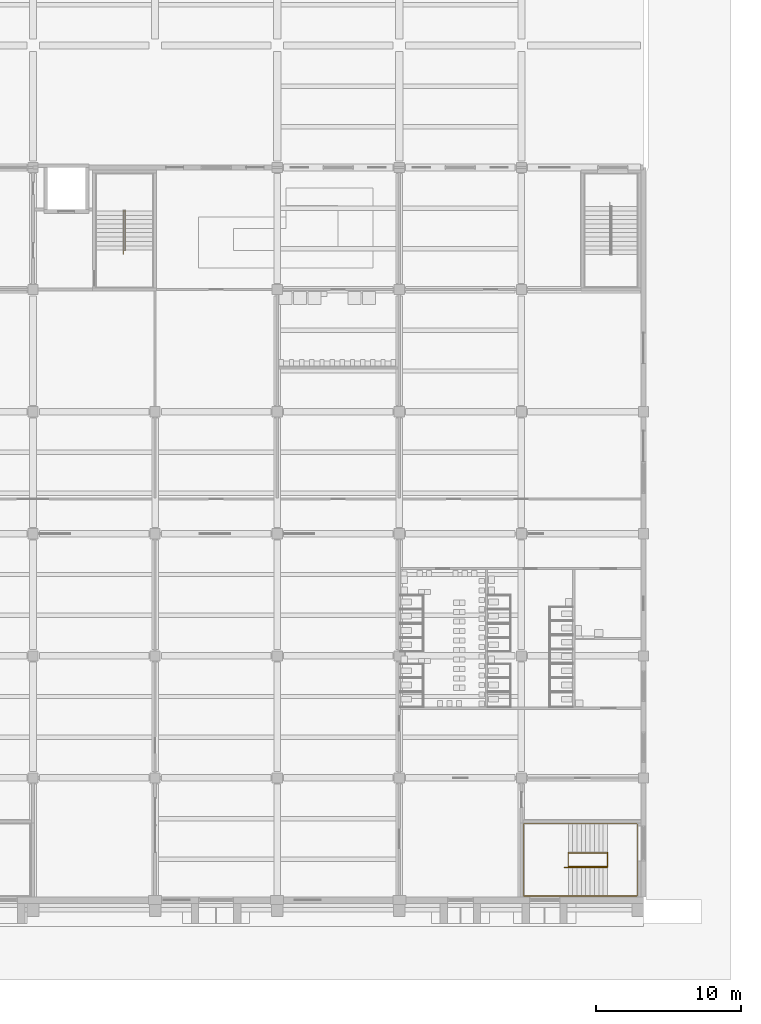
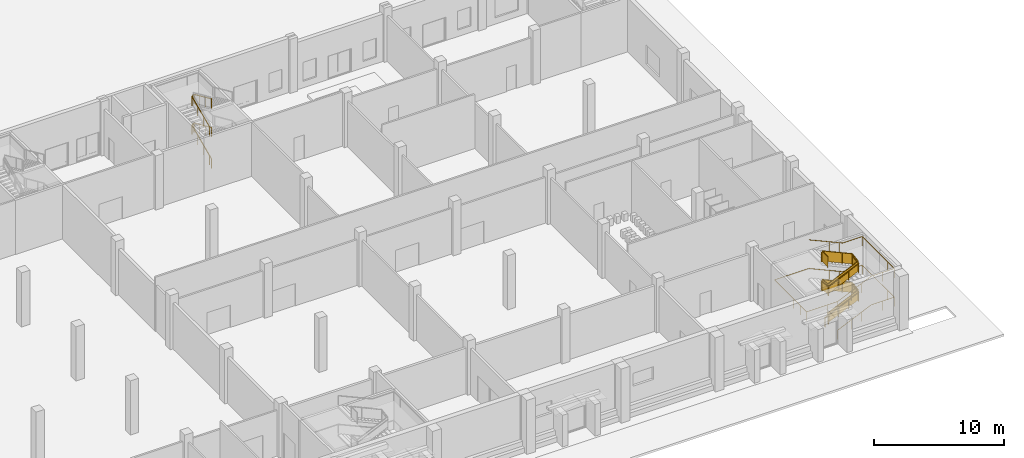
# One storey, part 66 of 74: 4 railings.
"""IFC4 building model written with IfcOpenShell, lengths in metres."""

from ifc_helpers import new_model, si_unit, direction, frame, origin, origin_2d, place, context, subcontext, project, spatial, polyline, circle, outline, extrude, material, type_object, element, save


model = new_model("IFC4")

# Units and contexts
model_context = context("Model", 3, precision=1e-05, world=origin(), true_north=direction((0.0, 1.0)))
body_context = subcontext(model_context, "Body", "Model", "MODEL_VIEW")
ifc_project = project(units=[si_unit("LENGTHUNIT", "METRE"), si_unit("AREAUNIT", "SQUARE_METRE"), si_unit("VOLUMEUNIT", "CUBIC_METRE"), si_unit("PLANEANGLEUNIT", "RADIAN"), si_unit("MASSUNIT", "GRAM", prefix="KILO")], contexts=[model_context])

# Site, building, storey
site_placement = place(None, origin())
site = spatial("IfcSite", under=ifc_project, at=site_placement, CompositionType="ELEMENT")
building_placement = place(site_placement, origin())
building = spatial("IfcBuilding", under=site, at=building_placement, Name="Rulbaag Community and Learning Centre", CompositionType="ELEMENT")
storey_placement = place(building_placement, origin())
storey = spatial("IfcBuildingStorey", under=building, at=storey_placement, Name="L00", CompositionType="ELEMENT", Elevation=0.0)

# Railings
ifc_material_1 = material(Name="Galvanised mild steel", Category="steel")
railing_type_1 = type_object("IfcRailingType", Name="GR-1100 GUARD 1100", PredefinedType="GUARDRAIL", material=ifc_material_1)
railing_1_placement = place(storey_placement, frame((162.824951171875, 2.304931640625, 0.135009765625)))
element("IfcRailing", 1, at=railing_1_placement, inside=storey, type_object=railing_type_1, Name="Guard SH10 L00 G", PredefinedType="GUARDRAIL", context=body_context, shape_type="SweptSolid", body=[
    extrude(circle(Radius=0.02490234375, at=origin_2d()), frame((0.0, 0.0, 1.0751953125), z_axis=(0.911907618724, 0.0, 0.410395534713), x_axis=(0.0, 1.0, 0.0)), (0.0, 0.0, 1.0), 2.960693359375),
    extrude(circle(Radius=0.02490234375, at=origin_2d()), frame((2.699951171875, 0.0, 2.2900390625), z_axis=(0.0, 0.989289738746, 0.145965108198), x_axis=(-1.0, 0.0, 0.0)), (0.0, 0.0, 1.0), 0.925048828125),
    extrude(circle(Radius=0.02490234375, at=origin_2d()), frame((2.699951171875, 0.9150390625, 2.42529296875), z_axis=(-0.91193847666, 0.0, 0.410326960834), x_axis=(0.0, -1.0, 0.0)), (0.0, 0.0, 1.0), 2.960693359375),
    extrude(circle(Radius=0.02490234375, at=origin_2d()), frame((0.0, 0.9150390625, 3.64013671875), z_axis=(0.0, -0.989289738746, 0.145965108198), x_axis=(1.0, 0.0, 0.0)), (0.0, 0.0, 1.0), 0.925048828125),
    extrude(circle(Radius=0.02490234375, at=origin_2d()), frame((0.0, 0.0, 3.77490234375), z_axis=(0.911907618724, 0.0, 0.410395534713), x_axis=(0.0, 1.0, 0.0)), (0.0, 0.0, 1.0), 2.960693359375),
    extrude(circle(Radius=0.02490234375, at=origin_2d()), frame((2.699951171875, 0.0, 4.990234375), z_axis=(0.0, 0.989289738746, 0.145965108198), x_axis=(-1.0, 0.0, 0.0)), (0.0, 0.0, 1.0), 0.925048828125),
    extrude(circle(Radius=0.02490234375, at=origin_2d()), frame((2.699951171875, 0.9150390625, 5.125), z_axis=(-0.91193847666, 0.0, 0.410326960834), x_axis=(0.0, -1.0, 0.0)), (0.0, 0.0, 1.0), 2.960693359375),
    extrude(circle(Radius=0.02490234375, at=origin_2d()), frame((0.0, 0.9150390625, 6.33984375), z_axis=(0.0, -1.0, 0.0), x_axis=(1.0, 0.0, 0.0)), (0.0, 0.0, 1.0), 0.9150390625),
    extrude(circle(Radius=0.02001953125, at=origin_2d()), origin(), (0.0, 0.0, 1.0), 1.050048828125),
    extrude(circle(Radius=0.02001953125, at=origin_2d()), frame((0.89990234375, 0.0, 0.405029296875)), (0.0, 0.0, 1.0), 1.050048828125),
    extrude(circle(Radius=0.02001953125, at=origin_2d()), frame((1.800048828125, 0.0, 0.81005859375)), (0.0, 0.0, 1.0), 1.050048828125),
    extrude(circle(Radius=0.02001953125, at=origin_2d()), frame((2.699951171875, 0.0, 1.215087890625)), (0.0, 0.0, 1.0), 1.050048828125),
    extrude(circle(Radius=0.02001953125, at=origin_2d()), frame((2.699951171875, 0.9150390625, 1.35009765625)), (0.0, 0.0, 1.0), 1.050048828125),
    extrude(circle(Radius=0.02001953125, at=origin_2d()), frame((1.800048828125, 0.9150390625, 1.755126953125)), (0.0, 0.0, 1.0), 1.050048828125),
    extrude(circle(Radius=0.02001953125, at=origin_2d()), frame((0.89990234375, 0.9150390625, 2.159912109375)), (0.0, 0.0, 1.0), 1.050048828125),
    extrude(circle(Radius=0.02001953125, at=origin_2d()), frame((0.0, 0.9150390625, 2.56494140625)), (0.0, 0.0, 1.0), 1.050048828125),
    extrude(circle(Radius=0.02001953125, at=origin_2d()), frame((0.0, 0.0, 2.699951171875)), (0.0, 0.0, 1.0), 1.050048828125),
    extrude(circle(Radius=0.02001953125, at=origin_2d()), frame((0.89990234375, 0.0, 3.10498046875)), (0.0, 0.0, 1.0), 1.050048828125),
    extrude(circle(Radius=0.02001953125, at=origin_2d()), frame((1.800048828125, 0.0, 3.510009765625)), (0.0, 0.0, 1.0), 1.050048828125),
    extrude(circle(Radius=0.02001953125, at=origin_2d()), frame((2.699951171875, 0.0, 3.9150390625)), (0.0, 0.0, 1.0), 1.050048828125),
    extrude(circle(Radius=0.02001953125, at=origin_2d()), frame((2.699951171875, 0.9150390625, 4.050048828125)), (0.0, 0.0, 1.0), 1.050048828125),
    extrude(circle(Radius=0.02001953125, at=origin_2d()), frame((1.800048828125, 0.9150390625, 4.455078125)), (0.0, 0.0, 1.0), 1.050048828125),
    extrude(circle(Radius=0.02001953125, at=origin_2d()), frame((0.89990234375, 0.9150390625, 4.85986328125)), (0.0, 0.0, 1.0), 1.050048828125),
    extrude(circle(Radius=0.02001953125, at=origin_2d()), frame((0.0, 0.9150390625, 5.264892578125)), (0.0, 0.0, 1.0), 1.050048828125),
    extrude(circle(Radius=0.02001953125, at=origin_2d()), frame((0.0, 0.0, 5.264892578125)), (0.0, 0.0, 1.0), 1.050048828125),
    extrude(outline(polyline([(0.0, 0.0), (2.699951171875, 1.215087890625), (2.699951171875, 2.1650390625), (0.0, 0.949951171875), (0.0, 0.0)])), frame((0.0, 0.0048828125, 0.10009765625), z_axis=(0.0, -1.0, 0.0), x_axis=(1.0, 0.0, 0.0)), (0.0, 0.0, 1.0), 0.010009765625),
    extrude(outline(polyline([(0.0, 0.0), (0.9150390625, 0.135009765625), (0.9150390625, 1.0849609375), (0.0, 0.949951171875), (0.0, 0.0)])), frame((2.69482421875, 0.0, 1.315185546875), z_axis=(1.0, 0.0, 0.0), x_axis=(0.0, 1.0, 0.0)), (0.0, 0.0, 1.0), 0.010009765625),
    extrude(outline(polyline([(0.0, 0.0), (2.699951171875, 1.21484375), (2.699951171875, 2.164794921875), (0.0, 0.949951171875), (0.0, 0.0)])), frame((2.699951171875, 0.91015625, 1.4501953125), z_axis=(0.0, 1.0, 0.0), x_axis=(-1.0, 0.0, 0.0)), (0.0, 0.0, 1.0), 0.010009765625),
    extrude(outline(polyline([(0.0, 0.0), (0.9150390625, 0.135009765625), (0.9150390625, 1.0849609375), (0.0, 0.949951171875), (0.0, 0.0)])), frame((0.0048828125, 0.9150390625, 2.6650390625), z_axis=(-1.0, 0.0, 0.0), x_axis=(0.0, -1.0, 0.0)), (0.0, 0.0, 1.0), 0.010009765625),
    extrude(outline(polyline([(0.0, 0.0), (2.699951171875, 1.215087890625), (2.699951171875, 2.1650390625), (0.0, 0.949951171875), (0.0, 0.0)])), frame((0.0, 0.0048828125, 2.800048828125), z_axis=(0.0, -1.0, 0.0), x_axis=(1.0, 0.0, 0.0)), (0.0, 0.0, 1.0), 0.010009765625),
    extrude(outline(polyline([(0.0, 0.0), (0.9150390625, 0.135009765625), (0.9150390625, 1.0849609375), (0.0, 0.949951171875), (0.0, 0.0)])), frame((2.69482421875, 0.0, 4.01513671875), z_axis=(1.0, 0.0, 0.0), x_axis=(0.0, 1.0, 0.0)), (0.0, 0.0, 1.0), 0.010009765625),
    extrude(outline(polyline([(0.0, 0.0), (2.699951171875, 1.21484375), (2.699951171875, 2.164794921875), (0.0, 0.949951171875), (0.0, 0.0)])), frame((2.699951171875, 0.91015625, 4.150146484375), z_axis=(0.0, 1.0, 0.0), x_axis=(-1.0, 0.0, 0.0)), (0.0, 0.0, 1.0), 0.010009765625),
    extrude(outline(polyline([(0.0, 0.0), (0.9150390625, 0.0), (0.9150390625, 0.949951171875), (0.0, 0.949951171875), (0.0, 0.0)])), frame((0.0048828125, 0.9150390625, 5.364990234375), z_axis=(-1.0, 0.0, 0.0), x_axis=(0.0, -1.0, 0.0)), (0.0, 0.0, 1.0), 0.010009765625),
])
ifc_material_2 = material(Name="Stainless steel grade 316", Category="steel")
railing_type_2 = type_object("IfcRailingType", Name="HR-900 HANDRAIL 900", PredefinedType="HANDRAIL", material=ifc_material_2)
railing_2_placement = place(storey_placement, frame((132.2099609375, 44.41259765625, 0.0)))
element("IfcRailing", 2, at=railing_2_placement, inside=storey, type_object=railing_type_2, Name="Handrail SH3 L00 I", PredefinedType="HANDRAIL", context=body_context, shape_type="SweptSolid", body=[
    extrude(circle(Radius=0.024169921875, at=origin_2d()), frame((0.0, 0.0, 0.875732421875), z_axis=(0.0, 0.911810325798, 0.41061165323), x_axis=(-1.0, 0.0, 0.0)), (0.0, 0.0, 1.0), 0.328857421875),
    extrude(circle(Radius=0.024169921875, at=origin_2d()), frame((0.0, 0.2998046875, 1.0107421875), z_axis=(0.0, 0.911921505175, 0.410364677329), x_axis=(-1.0, 0.0, 0.0)), (0.0, 0.0, 1.0), 2.9609375),
    extrude(circle(Radius=0.024169921875, at=origin_2d()), frame((0.0, 3.0, 2.225830078125), z_axis=(0.79986974456, 0.0, 0.600173634657), x_axis=(0.0, 1.0, 0.0)), (0.0, 0.0, 1.0), 0.224853515625),
    extrude(circle(Radius=0.024169921875, at=origin_2d()), frame((0.179931640625, 3.0, 2.36083984375), z_axis=(0.0, -0.91195235894, 0.410296106518), x_axis=(1.0, 0.0, 0.0)), (0.0, 0.0, 1.0), 2.9609375),
    extrude(circle(Radius=0.024169921875, at=origin_2d()), frame((0.179931640625, 0.2998046875, 3.57568359375), z_axis=(-0.79986974456, 0.0, 0.600173634657), x_axis=(0.0, -1.0, 0.0)), (0.0, 0.0, 1.0), 0.224853515625),
    extrude(circle(Radius=0.024169921875, at=origin_2d()), frame((0.0, 0.2998046875, 3.710693359375), z_axis=(0.0, 0.911921505175, 0.410364677329), x_axis=(-1.0, 0.0, 0.0)), (0.0, 0.0, 1.0), 2.9609375),
    extrude(circle(Radius=0.024169921875, at=origin_2d()), frame((0.0, 3.0, 4.92578125), z_axis=(0.79986974456, 0.0, 0.600173634657), x_axis=(0.0, 1.0, 0.0)), (0.0, 0.0, 1.0), 0.224853515625),
    extrude(circle(Radius=0.024169921875, at=origin_2d()), frame((0.179931640625, 3.0, 5.060791015625), z_axis=(0.0, -0.91195235894, 0.410296106518), x_axis=(1.0, 0.0, 0.0)), (0.0, 0.0, 1.0), 2.9609375),
    extrude(circle(Radius=0.008056640625, at=origin_2d()), origin(), (0.0, 0.0, 1.0), 0.8515625),
    extrude(circle(Radius=0.008056640625, at=origin_2d()), frame((0.0, 0.2998046875, 0.135009765625)), (0.0, 0.0, 1.0), 0.8515625),
    extrude(circle(Radius=0.008056640625, at=origin_2d()), frame((0.0, 1.199951171875, 0.5400390625)), (0.0, 0.0, 1.0), 0.8515625),
    extrude(circle(Radius=0.008056640625, at=origin_2d()), frame((0.0, 2.099853515625, 0.945068359375)), (0.0, 0.0, 1.0), 0.8515625),
    extrude(circle(Radius=0.008056640625, at=origin_2d()), frame((0.0, 3.0, 1.35009765625)), (0.0, 0.0, 1.0), 0.8515625),
    extrude(circle(Radius=0.008056640625, at=origin_2d()), frame((0.179931640625, 3.0, 1.485107421875)), (0.0, 0.0, 1.0), 0.8515625),
    extrude(circle(Radius=0.008056640625, at=origin_2d()), frame((0.179931640625, 2.099853515625, 1.89013671875)), (0.0, 0.0, 1.0), 0.8515625),
    extrude(circle(Radius=0.008056640625, at=origin_2d()), frame((0.179931640625, 1.199951171875, 2.294921875)), (0.0, 0.0, 1.0), 0.8515625),
    extrude(circle(Radius=0.008056640625, at=origin_2d()), frame((0.179931640625, 0.2998046875, 2.699951171875)), (0.0, 0.0, 1.0), 0.8515625),
    extrude(circle(Radius=0.008056640625, at=origin_2d()), frame((0.0, 0.2998046875, 2.8349609375)), (0.0, 0.0, 1.0), 0.8515625),
    extrude(circle(Radius=0.008056640625, at=origin_2d()), frame((0.0, 1.199951171875, 3.239990234375)), (0.0, 0.0, 1.0), 0.8515625),
    extrude(circle(Radius=0.008056640625, at=origin_2d()), frame((0.0, 2.099853515625, 3.64501953125)), (0.0, 0.0, 1.0), 0.8515625),
    extrude(circle(Radius=0.008056640625, at=origin_2d()), frame((0.0, 3.0, 4.050048828125)), (0.0, 0.0, 1.0), 0.8515625),
    extrude(circle(Radius=0.008056640625, at=origin_2d()), frame((0.179931640625, 3.0, 4.18505859375)), (0.0, 0.0, 1.0), 0.8515625),
    extrude(circle(Radius=0.008056640625, at=origin_2d()), frame((0.179931640625, 2.099853515625, 4.590087890625)), (0.0, 0.0, 1.0), 0.8515625),
    extrude(circle(Radius=0.008056640625, at=origin_2d()), frame((0.179931640625, 1.199951171875, 4.994873046875)), (0.0, 0.0, 1.0), 0.8515625),
    extrude(circle(Radius=0.008056640625, at=origin_2d()), frame((0.179931640625, 0.2998046875, 5.39990234375)), (0.0, 0.0, 1.0), 0.8515625),
])
railing_3_placement = place(storey_placement, frame((162.52490234375, 0.284912109375, 0.0)))
element("IfcRailing", 3, at=railing_3_placement, inside=storey, type_object=railing_type_2, Name="Handrail SH10 L00 O", PredefinedType="HANDRAIL", context=body_context, shape_type="SweptSolid", body=[
    extrude(circle(Radius=0.024169921875, at=origin_2d()), frame((0.0, 0.0, 0.875732421875), z_axis=(0.911935388494, 0.0, 0.410333824115), x_axis=(0.0, 1.0, 0.0)), (0.0, 0.0, 1.0), 0.3291015625),
    extrude(circle(Radius=0.024169921875, at=origin_2d()), frame((0.300048828125, 0.0, 1.0107421875), z_axis=(0.911907618724, 0.0, 0.410395534713), x_axis=(0.0, 1.0, 0.0)), (0.0, 0.0, 1.0), 2.960693359375),
    extrude(circle(Radius=0.024169921875, at=origin_2d()), frame((3.0, 0.0, 2.225830078125), z_axis=(1.0, 0.0, 0.0), x_axis=(0.0, 1.0, 0.0)), (0.0, 0.0, 1.0), 2.0400390625),
    extrude(circle(Radius=0.024169921875, at=origin_2d()), frame((5.0400390625, 0.0, 2.225830078125), z_axis=(0.0, 1.0, 0.0), x_axis=(-1.0, 0.0, 0.0)), (0.0, 0.0, 1.0), 4.955078125),
    extrude(circle(Radius=0.024169921875, at=origin_2d()), frame((5.0400390625, 4.955078125, 2.225830078125), z_axis=(-1.0, 0.0, 0.0), x_axis=(0.0, -1.0, 0.0)), (0.0, 0.0, 1.0), 1.739990234375),
    extrude(circle(Radius=0.024169921875, at=origin_2d()), frame((3.300048828125, 4.955078125, 2.225830078125), z_axis=(-0.911935388494, 0.0, 0.410333824115), x_axis=(0.0, -1.0, 0.0)), (0.0, 0.0, 1.0), 0.3291015625),
    extrude(circle(Radius=0.024169921875, at=origin_2d()), frame((3.0, 4.955078125, 2.36083984375), z_axis=(-0.91193847666, 0.0, 0.410326960834), x_axis=(0.0, -1.0, 0.0)), (0.0, 0.0, 1.0), 2.960693359375),
    extrude(circle(Radius=0.024169921875, at=origin_2d()), frame((0.300048828125, 4.955078125, 3.57568359375), z_axis=(-1.0, 0.0, 0.0), x_axis=(0.0, -1.0, 0.0)), (0.0, 0.0, 1.0), 3.06494140625),
    extrude(circle(Radius=0.024169921875, at=origin_2d()), frame((-2.764892578125, 4.955078125, 3.57568359375), z_axis=(0.0, -1.0, 0.0), x_axis=(1.0, 0.0, 0.0)), (0.0, 0.0, 1.0), 4.955078125),
    extrude(circle(Radius=0.024169921875, at=origin_2d()), frame((-2.764892578125, 0.0, 3.57568359375), z_axis=(1.0, 0.0, 0.0), x_axis=(0.0, 1.0, 0.0)), (0.0, 0.0, 1.0), 2.764892578125),
    extrude(circle(Radius=0.024169921875, at=origin_2d()), frame((0.0, 0.0, 3.57568359375), z_axis=(0.911935388494, 0.0, 0.410333824115), x_axis=(0.0, 1.0, 0.0)), (0.0, 0.0, 1.0), 0.3291015625),
    extrude(circle(Radius=0.024169921875, at=origin_2d()), frame((0.300048828125, 0.0, 3.710693359375), z_axis=(0.911907618724, 0.0, 0.410395534713), x_axis=(0.0, 1.0, 0.0)), (0.0, 0.0, 1.0), 2.960693359375),
    extrude(circle(Radius=0.024169921875, at=origin_2d()), frame((3.0, 0.0, 4.92578125), z_axis=(1.0, 0.0, 0.0), x_axis=(0.0, 1.0, 0.0)), (0.0, 0.0, 1.0), 2.0400390625),
    extrude(circle(Radius=0.024169921875, at=origin_2d()), frame((5.0400390625, 0.0, 4.92578125), z_axis=(0.0, 1.0, 0.0), x_axis=(-1.0, 0.0, 0.0)), (0.0, 0.0, 1.0), 4.955078125),
    extrude(circle(Radius=0.024169921875, at=origin_2d()), frame((5.0400390625, 4.955078125, 4.92578125), z_axis=(-1.0, 0.0, 0.0), x_axis=(0.0, -1.0, 0.0)), (0.0, 0.0, 1.0), 1.739990234375),
    extrude(circle(Radius=0.024169921875, at=origin_2d()), frame((3.300048828125, 4.955078125, 4.92578125), z_axis=(-0.911935388494, 0.0, 0.410333824115), x_axis=(0.0, -1.0, 0.0)), (0.0, 0.0, 1.0), 0.3291015625),
    extrude(circle(Radius=0.024169921875, at=origin_2d()), frame((3.0, 4.955078125, 5.060791015625), z_axis=(-0.91193847666, 0.0, 0.410326960834), x_axis=(0.0, -1.0, 0.0)), (0.0, 0.0, 1.0), 2.960693359375),
    extrude(circle(Radius=0.008056640625, at=origin_2d()), origin(), (0.0, 0.0, 1.0), 0.8515625),
    extrude(circle(Radius=0.008056640625, at=origin_2d()), frame((0.300048828125, 0.0, 0.135009765625)), (0.0, 0.0, 1.0), 0.8515625),
    extrude(circle(Radius=0.008056640625, at=origin_2d()), frame((1.199951171875, 0.0, 0.5400390625)), (0.0, 0.0, 1.0), 0.8515625),
    extrude(circle(Radius=0.008056640625, at=origin_2d()), frame((2.10009765625, 0.0, 0.945068359375)), (0.0, 0.0, 1.0), 0.8515625),
    extrude(circle(Radius=0.008056640625, at=origin_2d()), frame((3.0, 0.0, 1.35009765625)), (0.0, 0.0, 1.0), 0.8515625),
    extrude(circle(Radius=0.008056640625, at=origin_2d()), frame((4.02001953125, 0.0, 1.35009765625)), (0.0, 0.0, 1.0), 0.8515625),
    extrude(circle(Radius=0.008056640625, at=origin_2d()), frame((5.0400390625, 0.0, 1.35009765625)), (0.0, 0.0, 1.0), 0.8515625),
    extrude(circle(Radius=0.008056640625, at=origin_2d()), frame((5.0400390625, 0.990966796875, 1.35009765625)), (0.0, 0.0, 1.0), 0.8515625),
    extrude(circle(Radius=0.008056640625, at=origin_2d()), frame((5.0400390625, 1.98193359375, 1.35009765625)), (0.0, 0.0, 1.0), 0.8515625),
    extrude(circle(Radius=0.008056640625, at=origin_2d()), frame((5.0400390625, 2.97314453125, 1.35009765625)), (0.0, 0.0, 1.0), 0.8515625),
    extrude(circle(Radius=0.008056640625, at=origin_2d()), frame((5.0400390625, 3.964111328125, 1.35009765625)), (0.0, 0.0, 1.0), 0.8515625),
    extrude(circle(Radius=0.008056640625, at=origin_2d()), frame((5.0400390625, 4.955078125, 1.35009765625)), (0.0, 0.0, 1.0), 0.8515625),
    extrude(circle(Radius=0.008056640625, at=origin_2d()), frame((4.169921875, 4.955078125, 1.35009765625)), (0.0, 0.0, 1.0), 0.8515625),
    extrude(circle(Radius=0.008056640625, at=origin_2d()), frame((3.300048828125, 4.955078125, 1.35009765625)), (0.0, 0.0, 1.0), 0.8515625),
    extrude(circle(Radius=0.008056640625, at=origin_2d()), frame((3.0, 4.955078125, 1.485107421875)), (0.0, 0.0, 1.0), 0.8515625),
    extrude(circle(Radius=0.008056640625, at=origin_2d()), frame((2.10009765625, 4.955078125, 1.89013671875)), (0.0, 0.0, 1.0), 0.8515625),
    extrude(circle(Radius=0.008056640625, at=origin_2d()), frame((1.199951171875, 4.955078125, 2.294921875)), (0.0, 0.0, 1.0), 0.8515625),
    extrude(circle(Radius=0.008056640625, at=origin_2d()), frame((0.300048828125, 4.955078125, 2.699951171875)), (0.0, 0.0, 1.0), 0.8515625),
    extrude(circle(Radius=0.008056640625, at=origin_2d()), frame((-0.7216796875, 4.955078125, 2.699951171875)), (0.0, 0.0, 1.0), 0.8515625),
    extrude(circle(Radius=0.008056640625, at=origin_2d()), frame((-1.7431640625, 4.955078125, 2.699951171875)), (0.0, 0.0, 1.0), 0.8515625),
    extrude(circle(Radius=0.008056640625, at=origin_2d()), frame((-2.764892578125, 4.955078125, 2.699951171875)), (0.0, 0.0, 1.0), 0.8515625),
    extrude(circle(Radius=0.008056640625, at=origin_2d()), frame((-2.764892578125, 3.964111328125, 2.699951171875)), (0.0, 0.0, 1.0), 0.8515625),
    extrude(circle(Radius=0.008056640625, at=origin_2d()), frame((-2.764892578125, 2.97314453125, 2.699951171875)), (0.0, 0.0, 1.0), 0.8515625),
    extrude(circle(Radius=0.008056640625, at=origin_2d()), frame((-2.764892578125, 1.98193359375, 2.699951171875)), (0.0, 0.0, 1.0), 0.8515625),
    extrude(circle(Radius=0.008056640625, at=origin_2d()), frame((-2.764892578125, 0.990966796875, 2.699951171875)), (0.0, 0.0, 1.0), 0.8515625),
    extrude(circle(Radius=0.008056640625, at=origin_2d()), frame((-2.764892578125, 0.0, 2.699951171875)), (0.0, 0.0, 1.0), 0.8515625),
    extrude(circle(Radius=0.008056640625, at=origin_2d()), frame((-1.84326171875, 0.0, 2.699951171875)), (0.0, 0.0, 1.0), 0.8515625),
    extrude(circle(Radius=0.008056640625, at=origin_2d()), frame((-0.921630859375, 0.0, 2.699951171875)), (0.0, 0.0, 1.0), 0.8515625),
    extrude(circle(Radius=0.008056640625, at=origin_2d()), frame((0.0, 0.0, 2.699951171875)), (0.0, 0.0, 1.0), 0.8515625),
    extrude(circle(Radius=0.008056640625, at=origin_2d()), frame((0.300048828125, 0.0, 2.8349609375)), (0.0, 0.0, 1.0), 0.8515625),
    extrude(circle(Radius=0.008056640625, at=origin_2d()), frame((1.199951171875, 0.0, 3.239990234375)), (0.0, 0.0, 1.0), 0.8515625),
    extrude(circle(Radius=0.008056640625, at=origin_2d()), frame((2.10009765625, 0.0, 3.64501953125)), (0.0, 0.0, 1.0), 0.8515625),
    extrude(circle(Radius=0.008056640625, at=origin_2d()), frame((3.0, 0.0, 4.050048828125)), (0.0, 0.0, 1.0), 0.8515625),
    extrude(circle(Radius=0.008056640625, at=origin_2d()), frame((4.02001953125, 0.0, 4.050048828125)), (0.0, 0.0, 1.0), 0.8515625),
    extrude(circle(Radius=0.008056640625, at=origin_2d()), frame((5.0400390625, 0.0, 4.050048828125)), (0.0, 0.0, 1.0), 0.8515625),
    extrude(circle(Radius=0.008056640625, at=origin_2d()), frame((5.0400390625, 0.990966796875, 4.050048828125)), (0.0, 0.0, 1.0), 0.8515625),
    extrude(circle(Radius=0.008056640625, at=origin_2d()), frame((5.0400390625, 1.98193359375, 4.050048828125)), (0.0, 0.0, 1.0), 0.8515625),
    extrude(circle(Radius=0.008056640625, at=origin_2d()), frame((5.0400390625, 2.97314453125, 4.050048828125)), (0.0, 0.0, 1.0), 0.8515625),
    extrude(circle(Radius=0.008056640625, at=origin_2d()), frame((5.0400390625, 3.964111328125, 4.050048828125)), (0.0, 0.0, 1.0), 0.8515625),
    extrude(circle(Radius=0.008056640625, at=origin_2d()), frame((5.0400390625, 4.955078125, 4.050048828125)), (0.0, 0.0, 1.0), 0.8515625),
    extrude(circle(Radius=0.008056640625, at=origin_2d()), frame((4.169921875, 4.955078125, 4.050048828125)), (0.0, 0.0, 1.0), 0.8515625),
    extrude(circle(Radius=0.008056640625, at=origin_2d()), frame((3.300048828125, 4.955078125, 4.050048828125)), (0.0, 0.0, 1.0), 0.8515625),
    extrude(circle(Radius=0.008056640625, at=origin_2d()), frame((3.0, 4.955078125, 4.18505859375)), (0.0, 0.0, 1.0), 0.8515625),
    extrude(circle(Radius=0.008056640625, at=origin_2d()), frame((2.10009765625, 4.955078125, 4.590087890625)), (0.0, 0.0, 1.0), 0.8515625),
    extrude(circle(Radius=0.008056640625, at=origin_2d()), frame((1.199951171875, 4.955078125, 4.994873046875)), (0.0, 0.0, 1.0), 0.8515625),
    extrude(circle(Radius=0.008056640625, at=origin_2d()), frame((0.300048828125, 4.955078125, 5.39990234375)), (0.0, 0.0, 1.0), 0.8515625),
])
railing_4_placement = place(storey_placement, frame((162.52490234375, 2.235107421875, 0.0)))
element("IfcRailing", 4, at=railing_4_placement, inside=storey, type_object=railing_type_2, Name="Handrail SH10 L00 I", PredefinedType="HANDRAIL", context=body_context, shape_type="SweptSolid", body=[
    extrude(circle(Radius=0.024169921875, at=origin_2d()), frame((0.0, 0.0, 0.875732421875), z_axis=(0.911935388494, 0.0, 0.410333824115), x_axis=(0.0, 1.0, 0.0)), (0.0, 0.0, 1.0), 0.3291015625),
    extrude(circle(Radius=0.024169921875, at=origin_2d()), frame((0.300048828125, 0.0, 1.0107421875), z_axis=(0.911907618724, 0.0, 0.410395534713), x_axis=(0.0, 1.0, 0.0)), (0.0, 0.0, 1.0), 2.960693359375),
    extrude(circle(Radius=0.024169921875, at=origin_2d()), frame((3.0, 0.0, 2.225830078125), z_axis=(0.0, 0.991909852157, 0.126944260181), x_axis=(-1.0, 0.0, 0.0)), (0.0, 0.0, 1.0), 1.0634765625),
    extrude(circle(Radius=0.024169921875, at=origin_2d()), frame((3.0, 1.054931640625, 2.36083984375), z_axis=(-0.91193847666, 0.0, 0.410326960834), x_axis=(0.0, -1.0, 0.0)), (0.0, 0.0, 1.0), 2.960693359375),
    extrude(circle(Radius=0.024169921875, at=origin_2d()), frame((0.300048828125, 1.054931640625, 3.57568359375), z_axis=(0.0, -0.991909852157, 0.126944260181), x_axis=(1.0, 0.0, 0.0)), (0.0, 0.0, 1.0), 1.0634765625),
    extrude(circle(Radius=0.024169921875, at=origin_2d()), frame((0.300048828125, 0.0, 3.710693359375), z_axis=(0.911907618724, 0.0, 0.410395534713), x_axis=(0.0, 1.0, 0.0)), (0.0, 0.0, 1.0), 2.960693359375),
    extrude(circle(Radius=0.024169921875, at=origin_2d()), frame((3.0, 0.0, 4.92578125), z_axis=(0.0, 0.991909852157, 0.126944260181), x_axis=(-1.0, 0.0, 0.0)), (0.0, 0.0, 1.0), 1.0634765625),
    extrude(circle(Radius=0.024169921875, at=origin_2d()), frame((3.0, 1.054931640625, 5.060791015625), z_axis=(-0.91193847666, 0.0, 0.410326960834), x_axis=(0.0, -1.0, 0.0)), (0.0, 0.0, 1.0), 2.960693359375),
    extrude(circle(Radius=0.008056640625, at=origin_2d()), origin(), (0.0, 0.0, 1.0), 0.8515625),
    extrude(circle(Radius=0.008056640625, at=origin_2d()), frame((0.300048828125, 0.0, 0.135009765625)), (0.0, 0.0, 1.0), 0.8515625),
    extrude(circle(Radius=0.008056640625, at=origin_2d()), frame((1.199951171875, 0.0, 0.5400390625)), (0.0, 0.0, 1.0), 0.8515625),
    extrude(circle(Radius=0.008056640625, at=origin_2d()), frame((2.10009765625, 0.0, 0.945068359375)), (0.0, 0.0, 1.0), 0.8515625),
    extrude(circle(Radius=0.008056640625, at=origin_2d()), frame((3.0, 0.0, 1.35009765625)), (0.0, 0.0, 1.0), 0.8515625),
    extrude(circle(Radius=0.008056640625, at=origin_2d()), frame((3.0, 1.054931640625, 1.485107421875)), (0.0, 0.0, 1.0), 0.8515625),
    extrude(circle(Radius=0.008056640625, at=origin_2d()), frame((2.10009765625, 1.054931640625, 1.89013671875)), (0.0, 0.0, 1.0), 0.8515625),
    extrude(circle(Radius=0.008056640625, at=origin_2d()), frame((1.199951171875, 1.054931640625, 2.294921875)), (0.0, 0.0, 1.0), 0.8515625),
    extrude(circle(Radius=0.008056640625, at=origin_2d()), frame((0.300048828125, 1.054931640625, 2.699951171875)), (0.0, 0.0, 1.0), 0.8515625),
    extrude(circle(Radius=0.008056640625, at=origin_2d()), frame((0.300048828125, 0.0, 2.8349609375)), (0.0, 0.0, 1.0), 0.8515625),
    extrude(circle(Radius=0.008056640625, at=origin_2d()), frame((1.199951171875, 0.0, 3.239990234375)), (0.0, 0.0, 1.0), 0.8515625),
    extrude(circle(Radius=0.008056640625, at=origin_2d()), frame((2.10009765625, 0.0, 3.64501953125)), (0.0, 0.0, 1.0), 0.8515625),
    extrude(circle(Radius=0.008056640625, at=origin_2d()), frame((3.0, 0.0, 4.050048828125)), (0.0, 0.0, 1.0), 0.8515625),
    extrude(circle(Radius=0.008056640625, at=origin_2d()), frame((3.0, 1.054931640625, 4.18505859375)), (0.0, 0.0, 1.0), 0.8515625),
    extrude(circle(Radius=0.008056640625, at=origin_2d()), frame((2.10009765625, 1.054931640625, 4.590087890625)), (0.0, 0.0, 1.0), 0.8515625),
    extrude(circle(Radius=0.008056640625, at=origin_2d()), frame((1.199951171875, 1.054931640625, 4.994873046875)), (0.0, 0.0, 1.0), 0.8515625),
    extrude(circle(Radius=0.008056640625, at=origin_2d()), frame((0.300048828125, 1.054931640625, 5.39990234375)), (0.0, 0.0, 1.0), 0.8515625),
])

save(model, "model.ifc")
